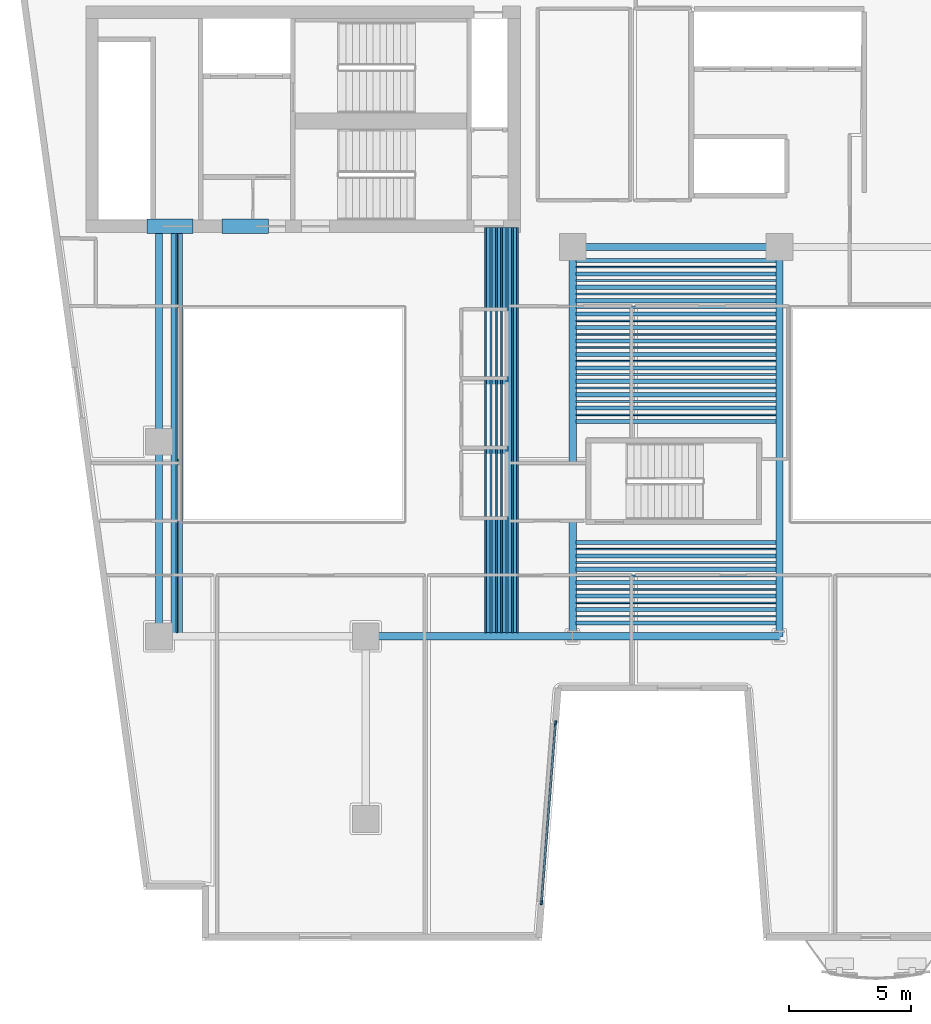
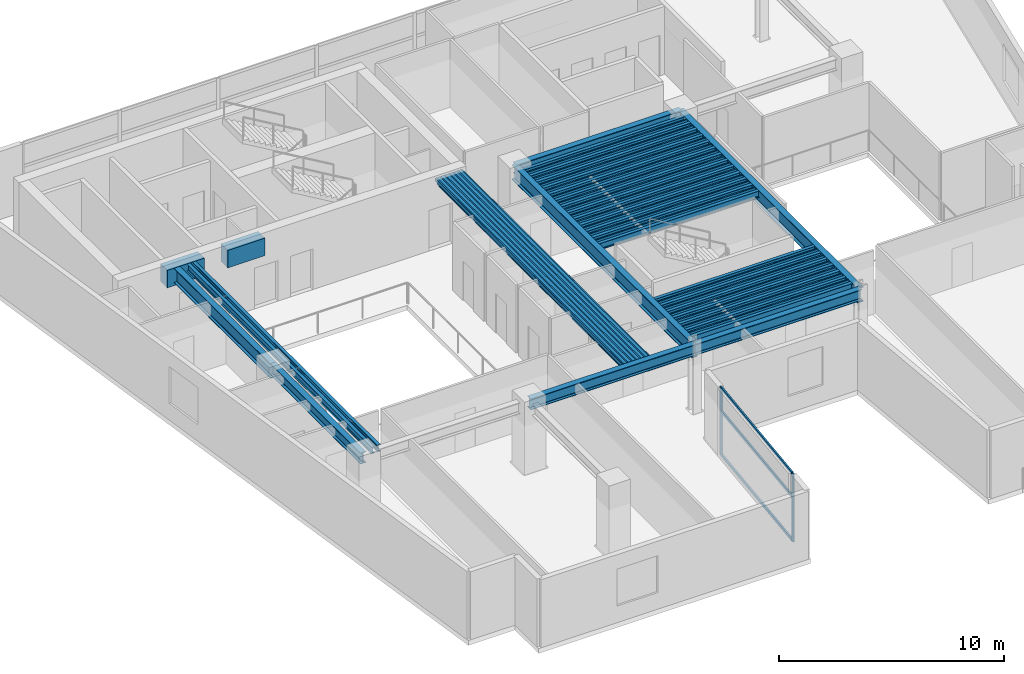
# One storey, part 2 of 12: 63 beams, 5 members, 1 element without a shape of its own.
"""IFC4 building model written with IfcOpenShell, lengths in metres."""

from ifc_helpers import new_model, si_unit, direction, frame, origin, origin_2d, place, context, subcontext, project, spatial, rectangle, hollow_rectangle, i_section, extrude, material, layer, layer_set, material_profile, profile_set, type_object, element, aggregate, save


model = new_model("IFC4")

# Units and contexts
model_context = context("Model", 3, precision=1e-05, world=origin(), true_north=direction((0.0, 1.0)))
body_context = subcontext(model_context, "Body", "Model", "MODEL_VIEW")
ifc_project = project(units=[si_unit("LENGTHUNIT", "METRE"), si_unit("AREAUNIT", "SQUARE_METRE"), si_unit("VOLUMEUNIT", "CUBIC_METRE"), si_unit("PLANEANGLEUNIT", "RADIAN"), si_unit("MASSUNIT", "GRAM", prefix="KILO")], contexts=[model_context])

# Site, building, storey
site_placement = place(None, origin())
site = spatial("IfcSite", under=ifc_project, at=site_placement, CompositionType="ELEMENT")
building_placement = place(site_placement, origin())
building = spatial("IfcBuilding", under=site, at=building_placement, Name="Caeloran Harvest Quay", CompositionType="ELEMENT")
storey_placement = place(building_placement, frame((0.0, 0.0, 146.949951171875)))
storey = spatial("IfcBuildingStorey", under=building, at=storey_placement, Name="L34", CompositionType="ELEMENT", Elevation=146.949951171875)

# Beams
ifc_material_1 = material(Name="Concrete C60/75", Category="concrete")
ifc_material_profile_1 = material_profile(ifc_material_1, rectangle(XDim=0.60009765625, YDim=0.949951171875, at=origin_2d()), Name="RC 600x950")
ifc_profile_set_1 = profile_set([ifc_material_profile_1], Name="Concrete C60/75")
beam_type_1 = type_object("IfcBeamType", Name="BM-CB-2-RC_600x950", PredefinedType="LINTEL", material=ifc_profile_set_1)
for number, where, z_axis, x_axis, name in (
    (1, (8.0, 31.85009765625, 3.215087890625), (1.0, 0.0, 0.0), (0.0, 1.0, 0.0), "L34 Core Coupling Beam 1"),
    (2, (11.10009765625, 31.85009765625, 3.215087890625), (1.0, 0.0, 0.0), (0.0, 1.0, 0.0), "L34 Core Coupling Beam 2"),
):
    element("IfcBeam", number, at=place(storey_placement, frame(where, z_axis=z_axis, x_axis=x_axis)), inside=storey, type_object=beam_type_1, Name=name, PredefinedType="LINTEL", context=body_context, shape_type="SweptSolid", body=[
        extrude(rectangle(XDim=0.60009765625, YDim=0.949951171875, at=origin_2d()), origin(), (0.0, 0.0, 1.0), 1.89990234375),
    ])
ifc_material_2 = material(Name="Steel S355J2", Category="steel")
ifc_material_profile_2 = material_profile(ifc_material_2, i_section(OverallWidth=0.300048828125, OverallDepth=0.800048828125, WebThickness=0.017578125, FlangeThickness=0.032958984375, FilletRadius=0.030029296875, at=origin_2d()), Name="HE 800 B")
ifc_profile_set_2 = profile_set([ifc_material_profile_2], Name="Steel S355J2")
beam_type_2 = type_object("IfcBeamType", Name="BM-PG-1-HE_800_B", PredefinedType="BEAM", material=ifc_profile_set_2)
beam_1_placement = place(storey_placement, frame((8.5, 23.0, 3.2900390625), z_axis=(0.0, 1.0, 0.0), x_axis=(-1.0, 0.0, 0.0)))
element("IfcBeam", 3, at=beam_1_placement, inside=storey, type_object=beam_type_2, Name="L34 Core South Tie Girder X=8.5", PredefinedType="BEAM", context=body_context, shape_type="SweptSolid", body=[
    extrude(i_section(OverallWidth=0.300048828125, OverallDepth=0.800048828125, WebThickness=0.017578125, FlangeThickness=0.032958984375, FilletRadius=0.030029296875, at=origin_2d()), origin(), (0.0, 0.0, 1.0), 8.800048828125),
])
for number, where, z_axis, x_axis, name in (
    (4, (25.5, 15.0, 3.2900390625), (0.0, 1.0, 0.0), (-1.0, 0.0, 0.0), "L34 Primary North-South Girder X=25.5"),
    (5, (34.0, 15.0, 3.2900390625), (0.0, 1.0, 0.0), (-1.0, 0.0, 0.0), "L34 Primary North-South Girder X=34.0"),
):
    element("IfcBeam", number, at=place(storey_placement, frame(where, z_axis=z_axis, x_axis=x_axis)), inside=storey, type_object=beam_type_2, Name=name, PredefinedType="BEAM", context=body_context, shape_type="SweptSolid", body=[
        extrude(i_section(OverallWidth=0.300048828125, OverallDepth=0.800048828125, WebThickness=0.017578125, FlangeThickness=0.032958984375, FilletRadius=0.030029296875, at=origin_2d()), origin(), (0.0, 0.0, 1.0), 16.0),
    ])
ifc_material_profile_3 = material_profile(ifc_material_2, i_section(OverallWidth=0.300048828125, OverallDepth=0.60009765625, WebThickness=0.015380859375, FlangeThickness=0.030029296875, FilletRadius=0.027099609375, at=origin_2d()), Name="HE 600 B")
ifc_profile_set_3 = profile_set([ifc_material_profile_3], Name="Steel S355J2")
beam_type_3 = type_object("IfcBeamType", Name="BM-PG-3-HE_600_B", PredefinedType="BEAM", material=ifc_profile_set_3)
for number, where, z_axis, x_axis, name in (
    (6, (17.0, 15.0, 3.39013671875), (1.0, 0.0, 0.0), (0.0, 1.0, 0.0), "L34 Primary East-West Girder Y=15.0"),
    (7, (25.5, 15.0, 3.39013671875), (1.0, 0.0, 0.0), (0.0, 1.0, 0.0), "L34 Primary East-West Girder Y=15.0"),
    (8, (25.5, 31.0, 3.39013671875), (1.0, 0.0, 0.0), (0.0, 1.0, 0.0), "L34 Primary East-West Girder Y=31.0"),
):
    element("IfcBeam", number, at=place(storey_placement, frame(where, z_axis=z_axis, x_axis=x_axis)), inside=storey, type_object=beam_type_3, Name=name, PredefinedType="BEAM", context=body_context, shape_type="SweptSolid", body=[
        extrude(i_section(OverallWidth=0.300048828125, OverallDepth=0.60009765625, WebThickness=0.015380859375, FlangeThickness=0.030029296875, FilletRadius=0.027099609375, at=origin_2d()), origin(), (0.0, 0.0, 1.0), 8.5),
    ])
beam_2_placement = place(storey_placement, frame((8.5, 15.0, 3.39013671875), z_axis=(0.0, 1.0, 0.0), x_axis=(-1.0, 0.0, 0.0)))
element("IfcBeam", 9, at=beam_2_placement, inside=storey, type_object=beam_type_3, Name="L34 Primary North-South Girder X=8.5", PredefinedType="BEAM", context=body_context, shape_type="SweptSolid", body=[
    extrude(i_section(OverallWidth=0.300048828125, OverallDepth=0.60009765625, WebThickness=0.015380859375, FlangeThickness=0.030029296875, FilletRadius=0.027099609375, at=origin_2d()), origin(), (0.0, 0.0, 1.0), 8.0),
])
ifc_material_profile_4 = material_profile(ifc_material_2, i_section(OverallWidth=0.169921875, OverallDepth=0.360107421875, WebThickness=0.008056640625, FlangeThickness=0.0126953125, FilletRadius=0.01806640625, at=origin_2d()), Name="IPE 360")
ifc_profile_set_4 = profile_set([ifc_material_profile_4], Name="Steel S355J2")
beam_type_4 = type_object("IfcBeamType", Name="BM-SB-5-IPE_360", PredefinedType="JOIST", material=ifc_profile_set_4)
for number, where, z_axis, x_axis, name in (
    (10, (9.086181640625, 15.14501953125, 3.510009765625), (0.0, 1.0, 0.0), (-1.0, 0.0, 0.0), "L34 Secondary Composite Joist"),
    (11, (9.37939453125, 15.14501953125, 3.510009765625), (0.0, 1.0, 0.0), (-1.0, 0.0, 0.0), "L34 Secondary Composite Joist"),
    (12, (22.0361328125, 15.14501953125, 3.510009765625), (0.0, 1.0, 0.0), (-1.0, 0.0, 0.0), "L34 Secondary Composite Joist"),
    (13, (22.255126953125, 15.14501953125, 3.510009765625), (0.0, 1.0, 0.0), (-1.0, 0.0, 0.0), "L34 Secondary Composite Joist"),
    (14, (22.47412109375, 15.14501953125, 3.510009765625), (0.0, 1.0, 0.0), (-1.0, 0.0, 0.0), "L34 Secondary Composite Joist"),
    (15, (22.693115234375, 15.14501953125, 3.510009765625), (0.0, 1.0, 0.0), (-1.0, 0.0, 0.0), "L34 Secondary Composite Joist"),
    (16, (22.912109375, 15.14501953125, 3.510009765625), (0.0, 1.0, 0.0), (-1.0, 0.0, 0.0), "L34 Secondary Composite Joist"),
    (17, (23.131103515625, 15.14501953125, 3.510009765625), (0.0, 1.0, 0.0), (-1.0, 0.0, 0.0), "L34 Secondary Composite Joist"),
):
    element("IfcBeam", number, at=place(storey_placement, frame(where, z_axis=z_axis, x_axis=x_axis)), inside=storey, type_object=beam_type_4, Name=name, PredefinedType="JOIST", context=body_context, shape_type="SweptSolid", body=[
        extrude(i_section(OverallWidth=0.169921875, OverallDepth=0.360107421875, WebThickness=0.008056640625, FlangeThickness=0.0126953125, FilletRadius=0.01806640625, at=origin_2d()), origin(), (0.0, 0.0, 1.0), 16.655029296875),
    ])
for number, where, z_axis, x_axis, name in (
    (18, (25.64501953125, 15.5517578125, 3.510009765625), (1.0, 0.0, 0.0), (0.0, 1.0, 0.0), "L34 Secondary East-West Composite Joist"),
    (19, (25.64501953125, 16.103515625, 3.510009765625), (1.0, 0.0, 0.0), (0.0, 1.0, 0.0), "L34 Secondary East-West Composite Joist"),
    (20, (25.64501953125, 16.6552734375, 3.510009765625), (1.0, 0.0, 0.0), (0.0, 1.0, 0.0), "L34 Secondary East-West Composite Joist"),
    (21, (25.64501953125, 17.206787109375, 3.510009765625), (1.0, 0.0, 0.0), (0.0, 1.0, 0.0), "L34 Secondary East-West Composite Joist"),
    (22, (25.64501953125, 17.758544921875, 3.510009765625), (1.0, 0.0, 0.0), (0.0, 1.0, 0.0), "L34 Secondary East-West Composite Joist"),
    (23, (25.64501953125, 18.310302734375, 3.510009765625), (1.0, 0.0, 0.0), (0.0, 1.0, 0.0), "L34 Secondary East-West Composite Joist"),
    (24, (25.64501953125, 18.862060546875, 3.510009765625), (1.0, 0.0, 0.0), (0.0, 1.0, 0.0), "L34 Secondary East-West Composite Joist"),
    (25, (25.64501953125, 23.82763671875, 3.510009765625), (1.0, 0.0, 0.0), (0.0, 1.0, 0.0), "L34 Secondary East-West Composite Joist"),
    (26, (25.64501953125, 24.37939453125, 3.510009765625), (1.0, 0.0, 0.0), (0.0, 1.0, 0.0), "L34 Secondary East-West Composite Joist"),
    (27, (25.64501953125, 24.930908203125, 3.510009765625), (1.0, 0.0, 0.0), (0.0, 1.0, 0.0), "L34 Secondary East-West Composite Joist"),
    (28, (25.64501953125, 25.48291015625, 3.510009765625), (1.0, 0.0, 0.0), (0.0, 1.0, 0.0), "L34 Secondary East-West Composite Joist"),
    (29, (25.64501953125, 26.034423828125, 3.510009765625), (1.0, 0.0, 0.0), (0.0, 1.0, 0.0), "L34 Secondary East-West Composite Joist"),
    (30, (25.64501953125, 26.586181640625, 3.510009765625), (1.0, 0.0, 0.0), (0.0, 1.0, 0.0), "L34 Secondary East-West Composite Joist"),
    (31, (25.64501953125, 27.137939453125, 3.510009765625), (1.0, 0.0, 0.0), (0.0, 1.0, 0.0), "L34 Secondary East-West Composite Joist"),
    (32, (25.64501953125, 27.689697265625, 3.510009765625), (1.0, 0.0, 0.0), (0.0, 1.0, 0.0), "L34 Secondary East-West Composite Joist"),
    (33, (25.64501953125, 28.241455078125, 3.510009765625), (1.0, 0.0, 0.0), (0.0, 1.0, 0.0), "L34 Secondary East-West Composite Joist"),
    (34, (25.64501953125, 28.793212890625, 3.510009765625), (1.0, 0.0, 0.0), (0.0, 1.0, 0.0), "L34 Secondary East-West Composite Joist"),
    (35, (25.64501953125, 29.3447265625, 3.510009765625), (1.0, 0.0, 0.0), (0.0, 1.0, 0.0), "L34 Secondary East-West Composite Joist"),
    (36, (25.64501953125, 29.896484375, 3.510009765625), (1.0, 0.0, 0.0), (0.0, 1.0, 0.0), "L34 Secondary East-West Composite Joist"),
    (37, (25.64501953125, 30.4482421875, 3.510009765625), (1.0, 0.0, 0.0), (0.0, 1.0, 0.0), "L34 Secondary East-West Composite Joist"),
):
    element("IfcBeam", number, at=place(storey_placement, frame(where, z_axis=z_axis, x_axis=x_axis)), inside=storey, type_object=beam_type_4, Name=name, PredefinedType="JOIST", context=body_context, shape_type="SweptSolid", body=[
        extrude(i_section(OverallWidth=0.169921875, OverallDepth=0.360107421875, WebThickness=0.008056640625, FlangeThickness=0.0126953125, FilletRadius=0.01806640625, at=origin_2d()), origin(), (0.0, 0.0, 1.0), 8.2099609375),
    ])
ifc_material_profile_5 = material_profile(ifc_material_2, hollow_rectangle(XDim=0.080078125, YDim=0.199951171875, WallThickness=0.006103515625, InnerFilletRadius=0.006103515625, OuterFilletRadius=0.009033203125, at=origin_2d()), Name="RHS 200x80x6")
ifc_profile_set_5 = profile_set([ifc_material_profile_5], Name="Steel S355J2")
beam_type_5 = type_object("IfcBeamType", Name="BM-SB-7-RHS_200x80x6", PredefinedType="JOIST", material=ifc_profile_set_5)
for number, where, z_axis, x_axis, name in (
    (38, (9.23291015625, 15.14501953125, 3.590087890625), (0.0, 1.0, 0.0), (-1.0, 0.0, 0.0), "L34 Secondary Composite Joist"),
    (39, (21.9267578125, 15.14501953125, 3.590087890625), (0.0, 1.0, 0.0), (-1.0, 0.0, 0.0), "L34 Secondary Composite Joist"),
    (40, (22.145751953125, 15.14501953125, 3.590087890625), (0.0, 1.0, 0.0), (-1.0, 0.0, 0.0), "L34 Secondary Composite Joist"),
    (41, (22.36474609375, 15.14501953125, 3.590087890625), (0.0, 1.0, 0.0), (-1.0, 0.0, 0.0), "L34 Secondary Composite Joist"),
    (42, (22.58349609375, 15.14501953125, 3.590087890625), (0.0, 1.0, 0.0), (-1.0, 0.0, 0.0), "L34 Secondary Composite Joist"),
    (43, (22.802490234375, 15.14501953125, 3.590087890625), (0.0, 1.0, 0.0), (-1.0, 0.0, 0.0), "L34 Secondary Composite Joist"),
    (44, (23.021484375, 15.14501953125, 3.590087890625), (0.0, 1.0, 0.0), (-1.0, 0.0, 0.0), "L34 Secondary Composite Joist"),
    (45, (23.240478515625, 15.14501953125, 3.590087890625), (0.0, 1.0, 0.0), (-1.0, 0.0, 0.0), "L34 Secondary Composite Joist"),
):
    element("IfcBeam", number, at=place(storey_placement, frame(where, z_axis=z_axis, x_axis=x_axis)), inside=storey, type_object=beam_type_5, Name=name, PredefinedType="JOIST", context=body_context, shape_type="SweptSolid", body=[
        extrude(hollow_rectangle(XDim=0.080078125, YDim=0.199951171875, WallThickness=0.006103515625, InnerFilletRadius=0.006103515625, OuterFilletRadius=0.009033203125, at=origin_2d()), origin(), (0.0, 0.0, 1.0), 16.655029296875),
    ])
for number, where, z_axis, x_axis, name in (
    (46, (25.64501953125, 15.82763671875, 3.590087890625), (1.0, 0.0, 0.0), (0.0, 1.0, 0.0), "L34 Secondary East-West Composite Joist"),
    (47, (25.64501953125, 16.37939453125, 3.590087890625), (1.0, 0.0, 0.0), (0.0, 1.0, 0.0), "L34 Secondary East-West Composite Joist"),
    (48, (25.64501953125, 16.930908203125, 3.590087890625), (1.0, 0.0, 0.0), (0.0, 1.0, 0.0), "L34 Secondary East-West Composite Joist"),
    (49, (25.64501953125, 17.48291015625, 3.590087890625), (1.0, 0.0, 0.0), (0.0, 1.0, 0.0), "L34 Secondary East-West Composite Joist"),
    (50, (25.64501953125, 18.034423828125, 3.590087890625), (1.0, 0.0, 0.0), (0.0, 1.0, 0.0), "L34 Secondary East-West Composite Joist"),
    (51, (25.64501953125, 18.586181640625, 3.590087890625), (1.0, 0.0, 0.0), (0.0, 1.0, 0.0), "L34 Secondary East-West Composite Joist"),
    (52, (25.64501953125, 24.103515625, 3.590087890625), (1.0, 0.0, 0.0), (0.0, 1.0, 0.0), "L34 Secondary East-West Composite Joist"),
    (53, (25.64501953125, 24.6552734375, 3.590087890625), (1.0, 0.0, 0.0), (0.0, 1.0, 0.0), "L34 Secondary East-West Composite Joist"),
    (54, (25.64501953125, 25.206787109375, 3.590087890625), (1.0, 0.0, 0.0), (0.0, 1.0, 0.0), "L34 Secondary East-West Composite Joist"),
    (55, (25.64501953125, 25.758544921875, 3.590087890625), (1.0, 0.0, 0.0), (0.0, 1.0, 0.0), "L34 Secondary East-West Composite Joist"),
    (56, (25.64501953125, 26.310302734375, 3.590087890625), (1.0, 0.0, 0.0), (0.0, 1.0, 0.0), "L34 Secondary East-West Composite Joist"),
    (57, (25.64501953125, 26.862060546875, 3.590087890625), (1.0, 0.0, 0.0), (0.0, 1.0, 0.0), "L34 Secondary East-West Composite Joist"),
    (58, (25.64501953125, 27.413818359375, 3.590087890625), (1.0, 0.0, 0.0), (0.0, 1.0, 0.0), "L34 Secondary East-West Composite Joist"),
    (59, (25.64501953125, 27.965576171875, 3.590087890625), (1.0, 0.0, 0.0), (0.0, 1.0, 0.0), "L34 Secondary East-West Composite Joist"),
    (60, (25.64501953125, 28.51708984375, 3.590087890625), (1.0, 0.0, 0.0), (0.0, 1.0, 0.0), "L34 Secondary East-West Composite Joist"),
    (61, (25.64501953125, 29.069091796875, 3.590087890625), (1.0, 0.0, 0.0), (0.0, 1.0, 0.0), "L34 Secondary East-West Composite Joist"),
    (62, (25.64501953125, 29.62060546875, 3.590087890625), (1.0, 0.0, 0.0), (0.0, 1.0, 0.0), "L34 Secondary East-West Composite Joist"),
    (63, (25.64501953125, 30.17236328125, 3.590087890625), (1.0, 0.0, 0.0), (0.0, 1.0, 0.0), "L34 Secondary East-West Composite Joist"),
):
    element("IfcBeam", number, at=place(storey_placement, frame(where, z_axis=z_axis, x_axis=x_axis)), inside=storey, type_object=beam_type_5, Name=name, PredefinedType="JOIST", context=body_context, shape_type="SweptSolid", body=[
        extrude(hollow_rectangle(XDim=0.080078125, YDim=0.199951171875, WallThickness=0.006103515625, InnerFilletRadius=0.006103515625, OuterFilletRadius=0.009033203125, at=origin_2d()), origin(), (0.0, 0.0, 1.0), 8.2099609375),
    ])

# Curtain wall, members
ifc_material_3 = material(Name="Aluminium 6063-T6 and Low-E Glazing", Category="aluminium")
ifc_layer = layer(ifc_material_3, 0.18994140625, Name="Aluminium 6063-T6 and Low-E Glazing")
ifc_layer_set = layer_set([ifc_layer], Name="Aluminium 6063-T6 and Low-E Glazing")
curtain_wall_type = type_object("IfcCurtainWallType", Name="CW-SYS-CW-3", PredefinedType="USERDEFINED", material=ifc_layer_set)
curtain_wall_placement = place(storey_placement, origin())
curtain_wall = element("IfcCurtainWall", 64, at=curtain_wall_placement, inside=storey, type_object=curtain_wall_type, Name="L34 Unitised Curtain Wall CW-3 Run 15", ObjectType="CURTAIN_WALL", PredefinedType="USERDEFINED")
ifc_material_4 = material(Name="Aluminium 6063-T6", Category="aluminium")
ifc_material_profile_6 = material_profile(ifc_material_4, rectangle(XDim=0.080078125, YDim=0.179931640625, at=origin_2d()), Name="CW-MULLION-180")
ifc_profile_set_6 = profile_set([ifc_material_profile_6], Name="Aluminium 6063-T6")
member_type_1 = type_object("IfcMemberType", Name="CW-MULLION-180", PredefinedType="MULLION", material=ifc_profile_set_6)
member_1_placement = place(storey_placement, frame((24.7978515625, 11.4443359375, 0.0), z_axis=(0.0, 0.0, 1.0), x_axis=(0.996967280277, -0.077821861046, 0.0)))
member_1 = element("IfcMember", 65, at=member_1_placement, type_object=member_type_1, Name="CW-3 mullion 1", PredefinedType="MULLION", context=body_context, shape_type="SweptSolid", body=[
    extrude(rectangle(XDim=0.080078125, YDim=0.179931640625, at=origin_2d()), origin(), (0.0, 0.0, 1.0), 3.68994140625),
])
member_2_placement = place(storey_placement, frame((24.221923828125, 4.065673828125, 0.0), z_axis=(0.0, 0.0, 1.0), x_axis=(0.996967280277, -0.077821861046, 0.0)))
member_2 = element("IfcMember", 66, at=member_2_placement, type_object=member_type_1, Name="CW-3 mullion 2", PredefinedType="MULLION", context=body_context, shape_type="SweptSolid", body=[
    extrude(rectangle(XDim=0.080078125, YDim=0.179931640625, at=origin_2d()), origin(), (0.0, 0.0, 1.0), 3.68994140625),
])
ifc_material_profile_7 = material_profile(ifc_material_4, rectangle(XDim=0.080078125, YDim=0.14990234375, at=origin_2d()), Name="CW-TRANSOM-150")
ifc_profile_set_7 = profile_set([ifc_material_profile_7], Name="Aluminium 6063-T6")
member_type_2 = type_object("IfcMemberType", Name="CW-TRANSOM-150", PredefinedType="USERDEFINED", material=ifc_profile_set_7)
member_3_placement = place(storey_placement, frame((24.794677734375, 11.404541015625, 0.0400390625), z_axis=(-0.077831218093, -0.996966549835, 0.0), x_axis=(0.996966549835, -0.077831218093, 0.0)))
member_3 = element("IfcMember", 67, at=member_3_placement, type_object=member_type_2, Name="CW-3 transom 1.1", ObjectType="TRANSOM", PredefinedType="USERDEFINED", context=body_context, shape_type="SweptSolid", body=[
    extrude(rectangle(XDim=0.080078125, YDim=0.14990234375, at=origin_2d()), origin(), (0.0, 0.0, 1.0), 7.3212890625),
])
member_4_placement = place(storey_placement, frame((24.794677734375, 11.404541015625, 2.400146484375), z_axis=(-0.077831218093, -0.996966549835, 0.0), x_axis=(0.996966549835, -0.077831218093, 0.0)))
member_4 = element("IfcMember", 68, at=member_4_placement, type_object=member_type_2, Name="CW-3 transom 1.2", ObjectType="TRANSOM", PredefinedType="USERDEFINED", context=body_context, shape_type="SweptSolid", body=[
    extrude(rectangle(XDim=0.080078125, YDim=0.14990234375, at=origin_2d()), origin(), (0.0, 0.0, 1.0), 7.3212890625),
])
member_5_placement = place(storey_placement, frame((24.794677734375, 11.404541015625, 3.650146484375), z_axis=(-0.077831218093, -0.996966549835, 0.0), x_axis=(0.996966549835, -0.077831218093, 0.0)))
member_5 = element("IfcMember", 69, at=member_5_placement, type_object=member_type_2, Name="CW-3 transom 1.3", ObjectType="TRANSOM", PredefinedType="USERDEFINED", context=body_context, shape_type="SweptSolid", body=[
    extrude(rectangle(XDim=0.080078125, YDim=0.14990234375, at=origin_2d()), origin(), (0.0, 0.0, 1.0), 7.3212890625),
])
aggregate(curtain_wall, [member_1, member_2, member_3, member_4, member_5])

save(model, "model.ifc")
